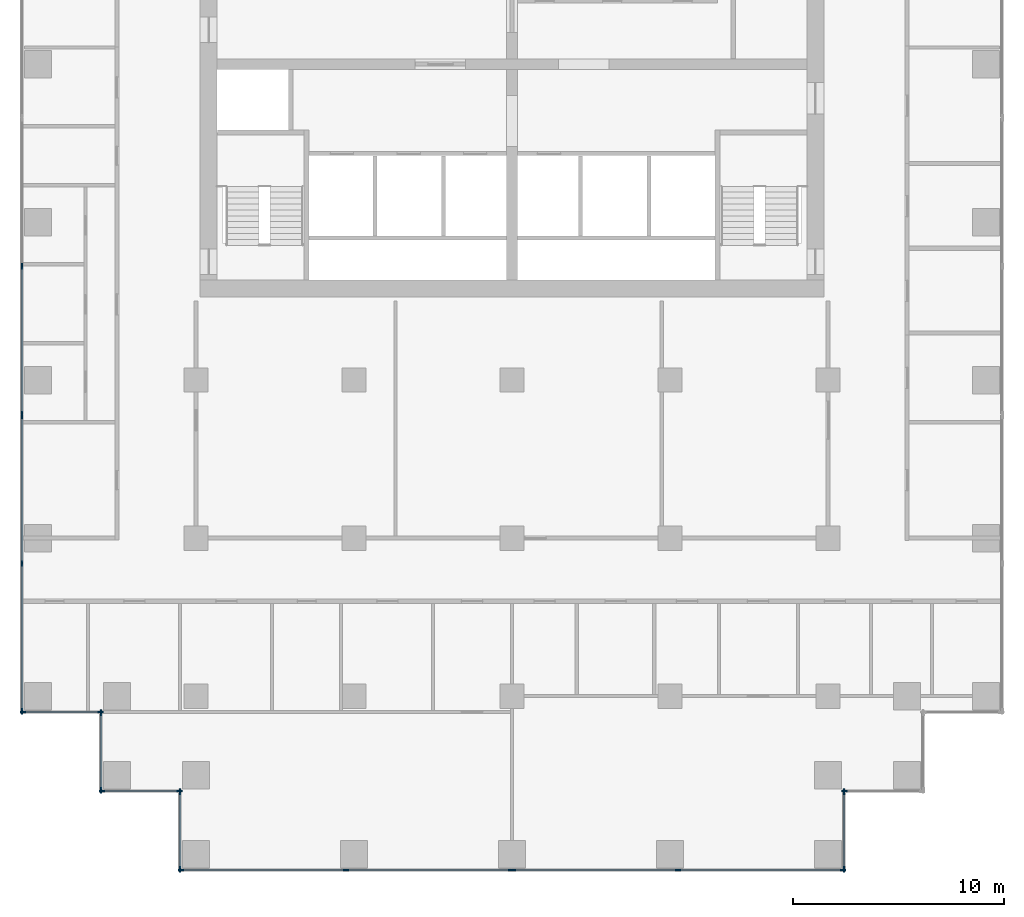
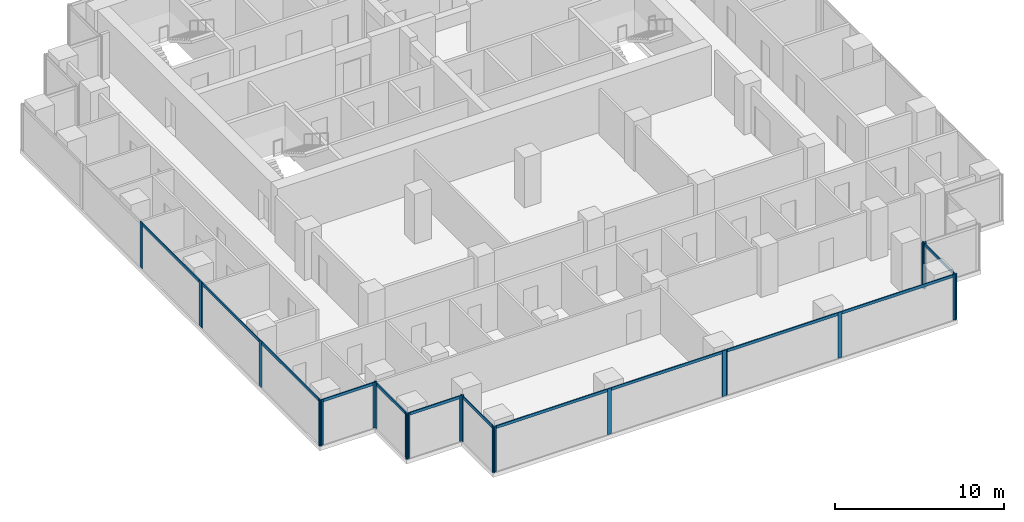
# One storey, part 2 of 10: 34 members, 10 elements without a shape of their own.
"""IFC4 building model written with IfcOpenShell, lengths in metres."""

import ifcopenshell
import ifcopenshell.guid

model = None  # the IFC model being written
_history = None  # IfcOwnerHistory: only IFC2X3 demands one
_inside = {}  # id of a spatial element -> (the spatial element, [elements in it])
_under = {}  # id of a project, library or spatial element -> (it, [spatial elements below it])
_declared = {}  # id of a project -> (the project, [libraries it declares])
_typed = {}  # id of a type object -> (the type object, [elements of that type])
_made_of = {}  # id of a material, layer set ... -> (it, [elements and type objects made of it])


def new_model(schema):
    """Start an empty IFC model of exactly this schema.

    Asked for "IFC4X3", IfcOpenShell would pick the latest addendum, in which some entities
    have other attributes; the version numbers below select the first issue.
    IFC2X3 requires an IfcOwnerHistory on every rooted entity: one is made here for all.
    """
    global model, _history
    if schema == "IFC4X3":
        model = ifcopenshell.file(schema_version=(4, 3, 0, 0))
    else:
        model = ifcopenshell.file(schema=schema)
    _inside.clear()
    _under.clear()
    _declared.clear()
    _typed.clear()
    _made_of.clear()
    _history = None
    if model.schema == "IFC2X3":
        org = make("IfcOrganization", Name="unknown")
        user = make(
            "IfcPersonAndOrganization",
            ThePerson=make("IfcPerson", FamilyName="unknown"),
            TheOrganization=org,
        )
        app = make(
            "IfcApplication",
            ApplicationDeveloper=org,
            Version="unknown",
            ApplicationFullName="unknown",
            ApplicationIdentifier="unknown",
        )
        _history = make(
            "IfcOwnerHistory",
            OwningUser=user,
            OwningApplication=app,
            ChangeAction="ADDED",
            CreationDate=0,
        )
    return model


def make(cls, **values):
    """One entity of the class cls with the attributes given. An attribute that is None is left unset."""
    return model.create_entity(
        cls, **{name: value for name, value in values.items() if value is not None}
    )


def rooted(cls, **values):
    """An entity with a GlobalId (a new one), such as an element, a storey or a relation."""
    return make(cls, GlobalId=ifcopenshell.guid.new(), OwnerHistory=_history, **values)


def si_unit(unit_type, name, prefix=None):
    """IfcSIUnit, for example si_unit("LENGTHUNIT", "METRE", prefix="MILLI")."""
    return make("IfcSIUnit", UnitType=unit_type, Prefix=prefix, Name=name)


def assignment(units):
    """IfcUnitAssignment: the units of a project."""
    return None if units is None else make("IfcUnitAssignment", Units=units)


def point(xyz):
    """IfcCartesianPoint."""
    return None if xyz is None else make("IfcCartesianPoint", Coordinates=xyz)


def direction(xyz):
    """IfcDirection."""
    return None if xyz is None else make("IfcDirection", DirectionRatios=xyz)


def frame(location, z_axis=None, x_axis=None):
    """IfcAxis2Placement3D, a coordinate frame: its origin and axes. An axis left out is left unset."""
    return make(
        "IfcAxis2Placement3D",
        Location=point(location),
        Axis=direction(z_axis),
        RefDirection=direction(x_axis),
    )


def frame_2d(location, x_axis=None):
    """IfcAxis2Placement2D, a coordinate frame in the plane: its origin and x axis."""
    return make(
        "IfcAxis2Placement2D", Location=point(location), RefDirection=direction(x_axis)
    )


def origin():
    """The frame at (0, 0, 0) with its axes left unset."""
    return frame((0.0, 0.0, 0.0))


def origin_2d():
    """The frame at (0, 0) in the plane with its x axis left unset."""
    return frame_2d((0.0, 0.0))


def place(relative_to, where):
    """IfcLocalPlacement: puts the frame where relative to a parent placement (None: the world)."""
    return make(
        "IfcLocalPlacement", PlacementRelTo=relative_to, RelativePlacement=where
    )


def context(
    kind, dimensions, precision=None, world=None, true_north=None, identifier=None
):
    """IfcGeometricRepresentationContext, for example the 3D "Model" context."""
    return make(
        "IfcGeometricRepresentationContext",
        ContextIdentifier=identifier,
        ContextType=kind,
        CoordinateSpaceDimension=dimensions,
        Precision=precision,
        WorldCoordinateSystem=world,
        TrueNorth=true_north,
    )


def subcontext(parent, identifier, kind, view, scale=None):
    """IfcGeometricRepresentationSubContext, for example "Body" below "Model"."""
    return make(
        "IfcGeometricRepresentationSubContext",
        ContextIdentifier=identifier,
        ContextType=kind,
        ParentContext=parent,
        TargetScale=scale,
        TargetView=view,
    )


def project(units=None, contexts=None):
    """IfcProject with its units and contexts."""
    return rooted(
        "IfcProject",
        Name="project",
        RepresentationContexts=contexts,
        UnitsInContext=assignment(units),
    )


def spatial(cls, under=None, at=None, **own):
    """A site, building, storey or space (cls), placed at a placement, below another one or the project."""
    s = rooted(cls, ObjectPlacement=at, **own)
    if under is not None:
        _under.setdefault(under.id(), (under, []))[1].append(s)
    return s


def profile(cls, at=None, kind="AREA", **sizes):
    """A parametric profile (cls). Its sizes go by their IFC names, for example OverallWidth=200.0."""
    return make(cls, ProfileType=kind, Position=at, **sizes)


def rectangle(**sizes):
    """IfcRectangleProfileDef."""
    return profile("IfcRectangleProfileDef", **sizes)


def extrude(swept, where, along, depth):
    """IfcExtrudedAreaSolid: the profile swept, set in the frame where, extruded along a direction by depth."""
    return make(
        "IfcExtrudedAreaSolid",
        SweptArea=swept,
        Position=where,
        ExtrudedDirection=direction(along),
        Depth=depth,
    )


def shape(context_of_items, identifier, shape_type, items):
    """IfcShapeRepresentation: the items that make up one representation, for example the "Body"."""
    return make(
        "IfcShapeRepresentation",
        ContextOfItems=context_of_items,
        RepresentationIdentifier=identifier,
        RepresentationType=shape_type,
        Items=items,
    )


def material(Name=None, Category=None):
    """IfcMaterial."""
    return make("IfcMaterial", Name=Name, Category=Category)


def material_profile(
    of_material, cross_section, Name=None, Category=None, Priority=None
):
    """IfcMaterialProfile: a cross section and its material."""
    return make(
        "IfcMaterialProfile",
        Name=Name,
        Material=of_material,
        Profile=cross_section,
        Priority=Priority,
        Category=Category,
    )


def profile_set(profiles, Name=None, composite=None):
    """IfcMaterialProfileSet."""
    return make(
        "IfcMaterialProfileSet",
        Name=Name,
        MaterialProfiles=profiles,
        CompositeProfile=composite,
    )


def made_of(thing, what):
    """Note that an element or type object is made of a material, layer set ...; save() writes the relation."""
    if what is not None:
        _made_of.setdefault(what.id(), (what, []))[1].append(thing)
    return thing


def type_object(cls, material=None, **own):
    """A type object (cls), such as IfcWallType, which elements share."""
    return made_of(rooted(cls, **own), material)


def element(
    cls,
    number,
    at=None,
    inside=None,
    cuts=None,
    type_object=None,
    material=None,
    context=None,
    identifier="Body",
    shape_type=None,
    held_by="IfcProductDefinitionShape",
    body=None,
    shapes=None,
    **own,
):
    """One element of the class cls, such as IfcWall. Its Tag is "e" and its number.

    at: its placement. inside: the storey or other place that contains it. cuts: it is an
    opening in that element (IfcRelVoidsElement). A single representation is given by context,
    identifier, shape_type and body (its items); several are given by shapes. held_by: the class
    of the entity that holds the representations. save() writes the other relations.
    """
    e = rooted(cls, Tag="e%d" % number, ObjectPlacement=at, **own)
    if body is not None:
        shapes = [shape(context, identifier, shape_type, body)]
    if shapes is not None:
        e.Representation = make(held_by, Representations=shapes)
    if inside is not None:
        _inside.setdefault(inside.id(), (inside, []))[1].append(e)
    if cuts is not None:
        rooted(
            "IfcRelVoidsElement", RelatingBuildingElement=cuts, RelatedOpeningElement=e
        )
    if type_object is not None:
        _typed.setdefault(type_object.id(), (type_object, []))[1].append(e)
    return made_of(e, material)


def aggregate(whole, parts):
    """IfcRelAggregates: a whole, such as a stair, and the parts it consists of."""
    return rooted("IfcRelAggregates", RelatingObject=whole, RelatedObjects=parts)


def save(model, path):
    """Write the relations noted so far, then the file.

    IfcRelAggregates (storeys below a building ...), IfcRelContainedInSpatialStructure (elements
    in a storey), IfcRelDefinesByType, IfcRelAssociatesMaterial and IfcRelDeclares: one each for
    every whole, place, type object, material and project.
    """
    for whole, parts in _under.values():
        aggregate(whole, parts)
    for where, things in _inside.values():
        rooted(
            "IfcRelContainedInSpatialStructure",
            RelatedElements=things,
            RelatingStructure=where,
        )
    for kind, things in _typed.values():
        rooted("IfcRelDefinesByType", RelatedObjects=things, RelatingType=kind)
    for what, things in _made_of.values():
        rooted("IfcRelAssociatesMaterial", RelatedObjects=things, RelatingMaterial=what)
    for by, libraries in _declared.values():
        rooted("IfcRelDeclares", RelatingContext=by, RelatedDefinitions=libraries)
    model.write(path)


model = new_model("IFC4")

# Units and contexts
model_context = context("Model", 3, precision=1e-05, world=origin(), true_north=direction((0.0, 1.0)))
body_context = subcontext(model_context, "Body", "Model", "MODEL_VIEW")
ifc_project = project(units=[si_unit("LENGTHUNIT", "METRE"), si_unit("AREAUNIT", "SQUARE_METRE"), si_unit("VOLUMEUNIT", "CUBIC_METRE"), si_unit("PLANEANGLEUNIT", "RADIAN"), si_unit("MASSUNIT", "GRAM", prefix="KILO")], contexts=[model_context])

# Site, building, storey
site_placement = place(None, origin())
site = spatial("IfcSite", under=ifc_project, at=site_placement, CompositionType="ELEMENT")
building_placement = place(site_placement, origin())
building = spatial("IfcBuilding", under=site, at=building_placement, Name="Pilkhan Gate Tower", CompositionType="ELEMENT")
storey_placement = place(building_placement, frame((0.0, 0.0, 139.60009765625)))
storey = spatial("IfcBuildingStorey", under=building, at=storey_placement, Name="L35", CompositionType="ELEMENT", Elevation=139.60009765625)

# Curtain wall, members
ifc_material_1 = material(Name="Pale anodised aluminium, clear low-iron double glazing", Category="aluminium")
curtain_wall_type = type_object("IfcCurtainWallType", Name="Office unitised curtain wall CW-O1", PredefinedType="USERDEFINED", material=ifc_material_1)
curtain_wall_1_placement = place(storey_placement, origin())
curtain_wall_1 = element("IfcCurtainWall", 1, at=curtain_wall_1_placement, inside=storey, type_object=curtain_wall_type, Name="Office unitised curtain wall CW-O1 L35 W", ObjectType="UNITISED CURTAIN WALL", PredefinedType="USERDEFINED")
ifc_material_2 = material(Name="Pale anodised aluminium", Category="aluminium")
ifc_material_profile_1 = material_profile(ifc_material_2, rectangle(XDim=0.070068359375, YDim=0.27490234375, at=origin_2d()), Name="Mullion 275x70")
ifc_profile_set_1 = profile_set([ifc_material_profile_1], Name="Pale anodised aluminium")
member_type_1 = type_object("IfcMemberType", Name="Mullion CW-O1 275x70", PredefinedType="MULLION", material=ifc_profile_set_1)
member_1_placement = place(storey_placement, frame((51.75, 51.784912109375, 0.0), z_axis=(0.0, 0.0, 1.0), x_axis=(-1.0, 0.0, 0.0)))
member_1 = element("IfcMember", 2, at=member_1_placement, type_object=member_type_1, Name="CW-O1 mullion 1", PredefinedType="MULLION", context=body_context, shape_type="SweptSolid", body=[
    extrude(rectangle(XDim=0.070068359375, YDim=0.27490234375, at=origin_2d()), origin(), (0.0, 0.0, 1.0), 3.2998046875),
])
member_2_placement = place(storey_placement, frame((51.75, 58.800048828125, 0.0), z_axis=(0.0, 0.0, 1.0), x_axis=(-1.0, 0.0, 0.0)))
member_2 = element("IfcMember", 3, at=member_2_placement, type_object=member_type_1, Name="CW-O1 mullion 2", PredefinedType="MULLION", context=body_context, shape_type="SweptSolid", body=[
    extrude(rectangle(XDim=0.070068359375, YDim=0.27490234375, at=origin_2d()), origin(), (0.0, 0.0, 1.0), 3.2998046875),
])
member_3_placement = place(storey_placement, frame((51.75, 65.81494140625, 0.0), z_axis=(0.0, 0.0, 1.0), x_axis=(-1.0, 0.0, 0.0)))
member_3 = element("IfcMember", 4, at=member_3_placement, type_object=member_type_1, Name="CW-O1 mullion 3", PredefinedType="MULLION", context=body_context, shape_type="SweptSolid", body=[
    extrude(rectangle(XDim=0.070068359375, YDim=0.27490234375, at=origin_2d()), origin(), (0.0, 0.0, 1.0), 3.2998046875),
])

curtain_wall_2_placement = place(storey_placement, origin())
curtain_wall_2 = element("IfcCurtainWall", 5, at=curtain_wall_2_placement, inside=storey, type_object=curtain_wall_type, Name="Office unitised curtain wall CW-O1 L35 W", ObjectType="UNITISED CURTAIN WALL", PredefinedType="USERDEFINED")
member_4_placement = place(storey_placement, frame((51.75, 65.885009765625, 0.0), z_axis=(0.0, 0.0, 1.0), x_axis=(-1.0, 0.0, 0.0)))
member_4 = element("IfcMember", 6, at=member_4_placement, type_object=member_type_1, Name="CW-O1 mullion 1", PredefinedType="MULLION", context=body_context, shape_type="SweptSolid", body=[
    extrude(rectangle(XDim=0.070068359375, YDim=0.27490234375, at=origin_2d()), origin(), (0.0, 0.0, 1.0), 3.2998046875),
])
member_5_placement = place(storey_placement, frame((51.75, 72.89990234375, 0.0), z_axis=(0.0, 0.0, 1.0), x_axis=(-1.0, 0.0, 0.0)))
member_5 = element("IfcMember", 7, at=member_5_placement, type_object=member_type_1, Name="CW-O1 mullion 2", PredefinedType="MULLION", context=body_context, shape_type="SweptSolid", body=[
    extrude(rectangle(XDim=0.070068359375, YDim=0.27490234375, at=origin_2d()), origin(), (0.0, 0.0, 1.0), 3.2998046875),
])

curtain_wall_3_placement = place(storey_placement, origin())
curtain_wall_3 = element("IfcCurtainWall", 8, at=curtain_wall_3_placement, inside=storey, type_object=curtain_wall_type, Name="Office unitised curtain wall CW-O1 L35 S", ObjectType="UNITISED CURTAIN WALL", PredefinedType="USERDEFINED")
member_6_placement = place(storey_placement, frame((51.784912109375, 51.75, 0.0), z_axis=(0.0, 0.0, 1.0), x_axis=(0.0, 1.0, 0.0)))
member_6 = element("IfcMember", 9, at=member_6_placement, type_object=member_type_1, Name="CW-O1 mullion 1", PredefinedType="MULLION", context=body_context, shape_type="SweptSolid", body=[
    extrude(rectangle(XDim=0.070068359375, YDim=0.27490234375, at=origin_2d()), origin(), (0.0, 0.0, 1.0), 3.2998046875),
])
member_7_placement = place(storey_placement, frame((55.465087890625, 51.75, 0.0), z_axis=(0.0, 0.0, 1.0), x_axis=(0.0, 1.0, 0.0)))
member_7 = element("IfcMember", 10, at=member_7_placement, type_object=member_type_1, Name="CW-O1 mullion 2", PredefinedType="MULLION", context=body_context, shape_type="SweptSolid", body=[
    extrude(rectangle(XDim=0.070068359375, YDim=0.27490234375, at=origin_2d()), origin(), (0.0, 0.0, 1.0), 3.2998046875),
])

curtain_wall_4_placement = place(storey_placement, origin())
curtain_wall_4 = element("IfcCurtainWall", 11, at=curtain_wall_4_placement, inside=storey, type_object=curtain_wall_type, Name="Office unitised curtain wall CW-O1 L35 W", ObjectType="UNITISED CURTAIN WALL", PredefinedType="USERDEFINED")
member_8_placement = place(storey_placement, frame((55.5, 48.034912109375, 0.0), z_axis=(0.0, 0.0, 1.0), x_axis=(-1.0, 0.0, 0.0)))
member_8 = element("IfcMember", 12, at=member_8_placement, type_object=member_type_1, Name="CW-O1 mullion 1", PredefinedType="MULLION", context=body_context, shape_type="SweptSolid", body=[
    extrude(rectangle(XDim=0.070068359375, YDim=0.27490234375, at=origin_2d()), origin(), (0.0, 0.0, 1.0), 3.2998046875),
])
member_9_placement = place(storey_placement, frame((55.5, 51.715087890625, 0.0), z_axis=(0.0, 0.0, 1.0), x_axis=(-1.0, 0.0, 0.0)))
member_9 = element("IfcMember", 13, at=member_9_placement, type_object=member_type_1, Name="CW-O1 mullion 2", PredefinedType="MULLION", context=body_context, shape_type="SweptSolid", body=[
    extrude(rectangle(XDim=0.070068359375, YDim=0.27490234375, at=origin_2d()), origin(), (0.0, 0.0, 1.0), 3.2998046875),
])

curtain_wall_5_placement = place(storey_placement, origin())
curtain_wall_5 = element("IfcCurtainWall", 14, at=curtain_wall_5_placement, inside=storey, type_object=curtain_wall_type, Name="Office unitised curtain wall CW-O1 L35 S", ObjectType="UNITISED CURTAIN WALL", PredefinedType="USERDEFINED")
member_10_placement = place(storey_placement, frame((55.534912109375, 48.0, 0.0), z_axis=(0.0, 0.0, 1.0), x_axis=(0.0, 1.0, 0.0)))
member_10 = element("IfcMember", 15, at=member_10_placement, type_object=member_type_1, Name="CW-O1 mullion 1", PredefinedType="MULLION", context=body_context, shape_type="SweptSolid", body=[
    extrude(rectangle(XDim=0.070068359375, YDim=0.27490234375, at=origin_2d()), origin(), (0.0, 0.0, 1.0), 3.2998046875),
])
member_11_placement = place(storey_placement, frame((59.215087890625, 48.0, 0.0), z_axis=(0.0, 0.0, 1.0), x_axis=(0.0, 1.0, 0.0)))
member_11 = element("IfcMember", 16, at=member_11_placement, type_object=member_type_1, Name="CW-O1 mullion 2", PredefinedType="MULLION", context=body_context, shape_type="SweptSolid", body=[
    extrude(rectangle(XDim=0.070068359375, YDim=0.27490234375, at=origin_2d()), origin(), (0.0, 0.0, 1.0), 3.2998046875),
])

curtain_wall_6_placement = place(storey_placement, origin())
curtain_wall_6 = element("IfcCurtainWall", 17, at=curtain_wall_6_placement, inside=storey, type_object=curtain_wall_type, Name="Office unitised curtain wall CW-O1 L35 W", ObjectType="UNITISED CURTAIN WALL", PredefinedType="USERDEFINED")
member_12_placement = place(storey_placement, frame((59.25, 44.284912109375, 0.0), z_axis=(0.0, 0.0, 1.0), x_axis=(-1.0, 0.0, 0.0)))
member_12 = element("IfcMember", 18, at=member_12_placement, type_object=member_type_1, Name="CW-O1 mullion 1", PredefinedType="MULLION", context=body_context, shape_type="SweptSolid", body=[
    extrude(rectangle(XDim=0.070068359375, YDim=0.27490234375, at=origin_2d()), origin(), (0.0, 0.0, 1.0), 3.2998046875),
])
member_13_placement = place(storey_placement, frame((59.25, 47.965087890625, 0.0), z_axis=(0.0, 0.0, 1.0), x_axis=(-1.0, 0.0, 0.0)))
member_13 = element("IfcMember", 19, at=member_13_placement, type_object=member_type_1, Name="CW-O1 mullion 2", PredefinedType="MULLION", context=body_context, shape_type="SweptSolid", body=[
    extrude(rectangle(XDim=0.070068359375, YDim=0.27490234375, at=origin_2d()), origin(), (0.0, 0.0, 1.0), 3.2998046875),
])

curtain_wall_7_placement = place(storey_placement, origin())
curtain_wall_7 = element("IfcCurtainWall", 20, at=curtain_wall_7_placement, inside=storey, type_object=curtain_wall_type, Name="Office unitised curtain wall CW-O1 L35 S", ObjectType="UNITISED CURTAIN WALL", PredefinedType="USERDEFINED")
member_14_placement = place(storey_placement, frame((59.284912109375, 44.25, 0.0), z_axis=(0.0, 0.0, 1.0), x_axis=(0.0, 1.0, 0.0)))
member_14 = element("IfcMember", 21, at=member_14_placement, type_object=member_type_1, Name="CW-O1 mullion 1", PredefinedType="MULLION", context=body_context, shape_type="SweptSolid", body=[
    extrude(rectangle(XDim=0.070068359375, YDim=0.27490234375, at=origin_2d()), origin(), (0.0, 0.0, 1.0), 3.2998046875),
])
member_15_placement = place(storey_placement, frame((67.125, 44.25, 0.0), z_axis=(0.0, 0.0, 1.0), x_axis=(0.0, 1.0, 0.0)))
member_15 = element("IfcMember", 22, at=member_15_placement, type_object=member_type_1, Name="CW-O1 mullion 2", PredefinedType="MULLION", context=body_context, shape_type="SweptSolid", body=[
    extrude(rectangle(XDim=0.070068359375, YDim=0.27490234375, at=origin_2d()), origin(), (0.0, 0.0, 1.0), 3.2998046875),
])
member_16_placement = place(storey_placement, frame((74.965087890625, 44.25, 0.0), z_axis=(0.0, 0.0, 1.0), x_axis=(0.0, 1.0, 0.0)))
member_16 = element("IfcMember", 23, at=member_16_placement, type_object=member_type_1, Name="CW-O1 mullion 3", PredefinedType="MULLION", context=body_context, shape_type="SweptSolid", body=[
    extrude(rectangle(XDim=0.070068359375, YDim=0.27490234375, at=origin_2d()), origin(), (0.0, 0.0, 1.0), 3.2998046875),
])

curtain_wall_8_placement = place(storey_placement, origin())
curtain_wall_8 = element("IfcCurtainWall", 24, at=curtain_wall_8_placement, inside=storey, type_object=curtain_wall_type, Name="Office unitised curtain wall CW-O1 L35 S", ObjectType="UNITISED CURTAIN WALL", PredefinedType="USERDEFINED")
member_17_placement = place(storey_placement, frame((75.034912109375, 44.25, 0.0), z_axis=(0.0, 0.0, 1.0), x_axis=(0.0, 1.0, 0.0)))
member_17 = element("IfcMember", 25, at=member_17_placement, type_object=member_type_1, Name="CW-O1 mullion 1", PredefinedType="MULLION", context=body_context, shape_type="SweptSolid", body=[
    extrude(rectangle(XDim=0.070068359375, YDim=0.27490234375, at=origin_2d()), origin(), (0.0, 0.0, 1.0), 3.2998046875),
])
member_18_placement = place(storey_placement, frame((82.875, 44.25, 0.0), z_axis=(0.0, 0.0, 1.0), x_axis=(0.0, 1.0, 0.0)))
member_18 = element("IfcMember", 26, at=member_18_placement, type_object=member_type_1, Name="CW-O1 mullion 2", PredefinedType="MULLION", context=body_context, shape_type="SweptSolid", body=[
    extrude(rectangle(XDim=0.070068359375, YDim=0.27490234375, at=origin_2d()), origin(), (0.0, 0.0, 1.0), 3.2998046875),
])
member_19_placement = place(storey_placement, frame((90.715087890625, 44.25, 0.0), z_axis=(0.0, 0.0, 1.0), x_axis=(0.0, 1.0, 0.0)))
member_19 = element("IfcMember", 27, at=member_19_placement, type_object=member_type_1, Name="CW-O1 mullion 3", PredefinedType="MULLION", context=body_context, shape_type="SweptSolid", body=[
    extrude(rectangle(XDim=0.070068359375, YDim=0.27490234375, at=origin_2d()), origin(), (0.0, 0.0, 1.0), 3.2998046875),
])

curtain_wall_9_placement = place(storey_placement, origin())
curtain_wall_9 = element("IfcCurtainWall", 28, at=curtain_wall_9_placement, inside=storey, type_object=curtain_wall_type, Name="Office unitised curtain wall CW-O1 L35 E", ObjectType="UNITISED CURTAIN WALL", PredefinedType="USERDEFINED")
member_20_placement = place(storey_placement, frame((90.75, 44.284912109375, 0.0), z_axis=(0.0, 0.0, 1.0), x_axis=(-1.0, 0.0, 0.0)))
member_20 = element("IfcMember", 29, at=member_20_placement, type_object=member_type_1, Name="CW-O1 mullion 1", PredefinedType="MULLION", context=body_context, shape_type="SweptSolid", body=[
    extrude(rectangle(XDim=0.070068359375, YDim=0.27490234375, at=origin_2d()), origin(), (0.0, 0.0, 1.0), 3.2998046875),
])
member_21_placement = place(storey_placement, frame((90.75, 47.965087890625, 0.0), z_axis=(0.0, 0.0, 1.0), x_axis=(-1.0, 0.0, 0.0)))
member_21 = element("IfcMember", 30, at=member_21_placement, type_object=member_type_1, Name="CW-O1 mullion 2", PredefinedType="MULLION", context=body_context, shape_type="SweptSolid", body=[
    extrude(rectangle(XDim=0.070068359375, YDim=0.27490234375, at=origin_2d()), origin(), (0.0, 0.0, 1.0), 3.2998046875),
])

# Curtain wall, member
curtain_wall_10_placement = place(storey_placement, origin())
curtain_wall_10 = element("IfcCurtainWall", 31, at=curtain_wall_10_placement, inside=storey, type_object=curtain_wall_type, Name="Office unitised curtain wall CW-O1 L35 S", ObjectType="UNITISED CURTAIN WALL", PredefinedType="USERDEFINED")
member_22_placement = place(storey_placement, frame((90.784912109375, 48.0, 0.0), z_axis=(0.0, 0.0, 1.0), x_axis=(0.0, 1.0, 0.0)))
member_22 = element("IfcMember", 32, at=member_22_placement, type_object=member_type_1, Name="CW-O1 mullion 1", PredefinedType="MULLION", context=body_context, shape_type="SweptSolid", body=[
    extrude(rectangle(XDim=0.070068359375, YDim=0.27490234375, at=origin_2d()), origin(), (0.0, 0.0, 1.0), 3.2998046875),
])
aggregate(curtain_wall_10, [member_22])

# Member
ifc_material_profile_2 = material_profile(ifc_material_2, rectangle(XDim=0.070068359375, YDim=0.199951171875, at=origin_2d()), Name="Transom 200x70")
ifc_profile_set_2 = profile_set([ifc_material_profile_2], Name="Pale anodised aluminium")
member_type_2 = type_object("IfcMemberType", Name="Transom CW-O1 200x70", PredefinedType="USERDEFINED", material=ifc_profile_set_2)
member_23_placement = place(storey_placement, frame((51.75, 51.820068359375, 3.199951171875), z_axis=(0.0, 1.0, 0.0), x_axis=(-1.0, 0.0, 0.0)))
member_23 = element("IfcMember", 33, at=member_23_placement, type_object=member_type_2, Name="CW-O1 transom 1", ObjectType="TRANSOM", PredefinedType="USERDEFINED", context=body_context, shape_type="SweptSolid", body=[
    extrude(rectangle(XDim=0.070068359375, YDim=0.199951171875, at=origin_2d()), origin(), (0.0, 0.0, 1.0), 6.94482421875),
])

member_24_placement = place(storey_placement, frame((51.75, 58.8349609375, 3.199951171875), z_axis=(0.0, 1.0, 0.0), x_axis=(-1.0, 0.0, 0.0)))
member_24 = element("IfcMember", 34, at=member_24_placement, type_object=member_type_2, Name="CW-O1 transom 2", ObjectType="TRANSOM", PredefinedType="USERDEFINED", context=body_context, shape_type="SweptSolid", body=[
    extrude(rectangle(XDim=0.070068359375, YDim=0.199951171875, at=origin_2d()), origin(), (0.0, 0.0, 1.0), 6.945068359375),
])

aggregate(curtain_wall_1, [member_1, member_2, member_3, member_23, member_24])

member_25_placement = place(storey_placement, frame((51.75, 65.919921875, 3.199951171875), z_axis=(0.0, 1.0, 0.0), x_axis=(-1.0, 0.0, 0.0)))
member_25 = element("IfcMember", 35, at=member_25_placement, type_object=member_type_2, Name="CW-O1 transom 1", ObjectType="TRANSOM", PredefinedType="USERDEFINED", context=body_context, shape_type="SweptSolid", body=[
    extrude(rectangle(XDim=0.070068359375, YDim=0.199951171875, at=origin_2d()), origin(), (0.0, 0.0, 1.0), 6.945068359375),
])

aggregate(curtain_wall_2, [member_4, member_5, member_25])

member_26_placement = place(storey_placement, frame((51.820068359375, 51.75, 3.199951171875), z_axis=(1.0, 0.0, 0.0), x_axis=(0.0, 1.0, 0.0)))
member_26 = element("IfcMember", 36, at=member_26_placement, type_object=member_type_2, Name="CW-O1 transom 1", ObjectType="TRANSOM", PredefinedType="USERDEFINED", context=body_context, shape_type="SweptSolid", body=[
    extrude(rectangle(XDim=0.070068359375, YDim=0.199951171875, at=origin_2d()), origin(), (0.0, 0.0, 1.0), 3.60986328125),
])

aggregate(curtain_wall_3, [member_6, member_7, member_26])

member_27_placement = place(storey_placement, frame((55.5, 48.070068359375, 3.199951171875), z_axis=(0.0, 1.0, 0.0), x_axis=(-1.0, 0.0, 0.0)))
member_27 = element("IfcMember", 37, at=member_27_placement, type_object=member_type_2, Name="CW-O1 transom 1", ObjectType="TRANSOM", PredefinedType="USERDEFINED", context=body_context, shape_type="SweptSolid", body=[
    extrude(rectangle(XDim=0.070068359375, YDim=0.199951171875, at=origin_2d()), origin(), (0.0, 0.0, 1.0), 3.60986328125),
])

aggregate(curtain_wall_4, [member_8, member_9, member_27])

member_28_placement = place(storey_placement, frame((55.570068359375, 48.0, 3.199951171875), z_axis=(1.0, 0.0, 0.0), x_axis=(0.0, 1.0, 0.0)))
member_28 = element("IfcMember", 38, at=member_28_placement, type_object=member_type_2, Name="CW-O1 transom 1", ObjectType="TRANSOM", PredefinedType="USERDEFINED", context=body_context, shape_type="SweptSolid", body=[
    extrude(rectangle(XDim=0.070068359375, YDim=0.199951171875, at=origin_2d()), origin(), (0.0, 0.0, 1.0), 3.60986328125),
])

aggregate(curtain_wall_5, [member_10, member_11, member_28])

member_29_placement = place(storey_placement, frame((59.25, 44.320068359375, 3.199951171875), z_axis=(0.0, 1.0, 0.0), x_axis=(-1.0, 0.0, 0.0)))
member_29 = element("IfcMember", 39, at=member_29_placement, type_object=member_type_2, Name="CW-O1 transom 1", ObjectType="TRANSOM", PredefinedType="USERDEFINED", context=body_context, shape_type="SweptSolid", body=[
    extrude(rectangle(XDim=0.070068359375, YDim=0.199951171875, at=origin_2d()), origin(), (0.0, 0.0, 1.0), 3.60986328125),
])

aggregate(curtain_wall_6, [member_12, member_13, member_29])

member_30_placement = place(storey_placement, frame((59.320068359375, 44.25, 3.199951171875), z_axis=(1.0, 0.0, 0.0), x_axis=(0.0, 1.0, 0.0)))
member_30 = element("IfcMember", 40, at=member_30_placement, type_object=member_type_2, Name="CW-O1 transom 1", ObjectType="TRANSOM", PredefinedType="USERDEFINED", context=body_context, shape_type="SweptSolid", body=[
    extrude(rectangle(XDim=0.070068359375, YDim=0.199951171875, at=origin_2d()), origin(), (0.0, 0.0, 1.0), 7.77001953125),
])

member_31_placement = place(storey_placement, frame((67.159912109375, 44.25, 3.199951171875), z_axis=(1.0, 0.0, 0.0), x_axis=(0.0, 1.0, 0.0)))
member_31 = element("IfcMember", 41, at=member_31_placement, type_object=member_type_2, Name="CW-O1 transom 2", ObjectType="TRANSOM", PredefinedType="USERDEFINED", context=body_context, shape_type="SweptSolid", body=[
    extrude(rectangle(XDim=0.070068359375, YDim=0.199951171875, at=origin_2d()), origin(), (0.0, 0.0, 1.0), 7.77001953125),
])

aggregate(curtain_wall_7, [member_14, member_15, member_16, member_30, member_31])

member_32_placement = place(storey_placement, frame((75.070068359375, 44.25, 3.199951171875), z_axis=(1.0, 0.0, 0.0), x_axis=(0.0, 1.0, 0.0)))
member_32 = element("IfcMember", 42, at=member_32_placement, type_object=member_type_2, Name="CW-O1 transom 1", ObjectType="TRANSOM", PredefinedType="USERDEFINED", context=body_context, shape_type="SweptSolid", body=[
    extrude(rectangle(XDim=0.070068359375, YDim=0.199951171875, at=origin_2d()), origin(), (0.0, 0.0, 1.0), 7.77001953125),
])

member_33_placement = place(storey_placement, frame((82.909912109375, 44.25, 3.199951171875), z_axis=(1.0, 0.0, 0.0), x_axis=(0.0, 1.0, 0.0)))
member_33 = element("IfcMember", 43, at=member_33_placement, type_object=member_type_2, Name="CW-O1 transom 2", ObjectType="TRANSOM", PredefinedType="USERDEFINED", context=body_context, shape_type="SweptSolid", body=[
    extrude(rectangle(XDim=0.070068359375, YDim=0.199951171875, at=origin_2d()), origin(), (0.0, 0.0, 1.0), 7.77001953125),
])

aggregate(curtain_wall_8, [member_17, member_18, member_19, member_32, member_33])

member_34_placement = place(storey_placement, frame((90.75, 44.320068359375, 3.199951171875), z_axis=(0.0, 1.0, 0.0), x_axis=(-1.0, 0.0, 0.0)))
member_34 = element("IfcMember", 44, at=member_34_placement, type_object=member_type_2, Name="CW-O1 transom 1", ObjectType="TRANSOM", PredefinedType="USERDEFINED", context=body_context, shape_type="SweptSolid", body=[
    extrude(rectangle(XDim=0.070068359375, YDim=0.199951171875, at=origin_2d()), origin(), (0.0, 0.0, 1.0), 3.60986328125),
])

aggregate(curtain_wall_9, [member_20, member_21, member_34])

save(model, "model.ifc")
